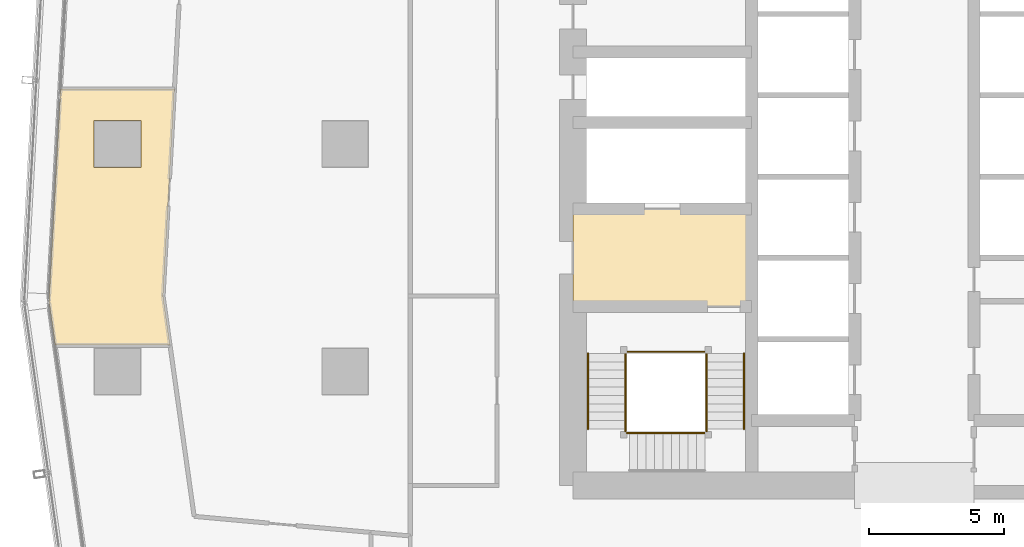
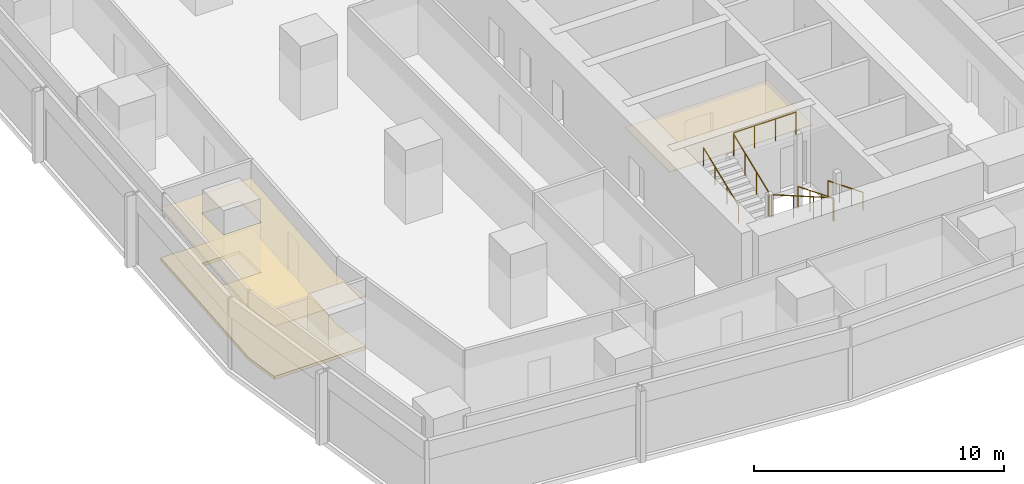
# One storey, part 34 of 40: 9 railings, 3 coverings.
"""IFC4 building model written with IfcOpenShell, lengths in metres."""

from ifc_helpers import new_model, si_unit, direction, frame, origin, origin_2d, place, context, subcontext, project, spatial, polyline, circle, outline, extrude, material, layer, layer_set, type_object, element, save


model = new_model("IFC4")

# Units and contexts
model_context = context("Model", 3, precision=1e-05, world=origin(), true_north=direction((0.0, 1.0)))
body_context = subcontext(model_context, "Body", "Model", "MODEL_VIEW")
ifc_project = project(units=[si_unit("LENGTHUNIT", "METRE"), si_unit("AREAUNIT", "SQUARE_METRE"), si_unit("VOLUMEUNIT", "CUBIC_METRE"), si_unit("PLANEANGLEUNIT", "RADIAN"), si_unit("MASSUNIT", "GRAM", prefix="KILO")], contexts=[model_context])

# Site, building, storey
site_placement = place(None, origin())
site = spatial("IfcSite", under=ifc_project, at=site_placement, CompositionType="ELEMENT")
building_placement = place(site_placement, origin())
building = spatial("IfcBuilding", under=site, at=building_placement, Name="Rekha Terrace Tower", CompositionType="ELEMENT")
storey_placement = place(building_placement, frame((0.0, 0.0, 121.550048828125)))
storey = spatial("IfcBuildingStorey", under=building, at=storey_placement, Name="L30", CompositionType="ELEMENT", Elevation=121.550048828125)

# Coverings
ifc_material_1 = material(Name="Mineral fibre tile in exposed grid", Category="finish")
ifc_layer_1 = layer(ifc_material_1, 0.02001953125)
ifc_layer_set_1 = layer_set([ifc_layer_1], Name="Mineral fibre tile in exposed grid")
covering_type_1 = type_object("IfcCoveringType", Name="CL1 600x1200 office grid ceiling", PredefinedType="CEILING", material=ifc_layer_set_1)
covering_1_placement = place(storey_placement, frame((0.0, 0.0, 2.579833984375)))
element("IfcCovering", 1, at=covering_1_placement, inside=storey, type_object=covering_type_1, Name="Ceiling L30-20", PredefinedType="CEILING", context=body_context, shape_type="SweptSolid", body=[
    extrude(outline(polyline([(10.080078125, 27.992919921875), (10.4990234375, 35.634033203125), (6.29296875, 35.634033203125), (5.864013671875, 27.81298828125), (6.094970703125, 26.177001953125), (10.3359375, 26.177001953125), (10.080078125, 27.992919921875)]), holes=[polyline([(9.264892578125, 32.735107421875), (7.534912109375, 32.735107421875), (7.534912109375, 34.465087890625), (9.264892578125, 34.465087890625), (9.264892578125, 32.735107421875)])]), origin(), (0.0, 0.0, 1.0), 0.02001953125),
])
ifc_material_2 = material(Name="Powder-coated aluminium pan", Category="aluminium")
ifc_layer_2 = layer(ifc_material_2, 0.030029296875)
ifc_layer_set_2 = layer_set([ifc_layer_2], Name="Powder-coated aluminium pan")
covering_type_2 = type_object("IfcCoveringType", Name="CL3 300x1200 metal pan ceiling", PredefinedType="CEILING", material=ifc_layer_set_2)
covering_2_placement = place(storey_placement, frame((0.0, 0.0, 2.570068359375)))
element("IfcCovering", 2, at=covering_2_placement, inside=storey, type_object=covering_type_2, Name="Ceiling L30-FLB1", PredefinedType="CEILING", context=body_context, shape_type="SweptSolid", body=[
    extrude(outline(polyline([(31.800048828125, 31.199951171875), (25.199951171875, 31.199951171875), (25.199951171875, 27.60009765625), (31.800048828125, 27.60009765625), (31.800048828125, 31.199951171875)])), origin(), (0.0, 0.0, 1.0), 0.02978515625),
])

# Railings
ifc_material_3 = material(Name="Stainless steel balustrade", Category="steel")
railing_type_1 = type_object("IfcRailingType", Name="GR1 1100 stair guard", PredefinedType="GUARDRAIL", material=ifc_material_3)
railing_1_placement = place(storey_placement, frame((30.135009765625, 25.875, 0.125)))
element("IfcRailing", 3, at=railing_1_placement, inside=storey, type_object=railing_type_1, Name="Guard ST1 L30 flight 1", PredefinedType="GUARDRAIL", context=body_context, shape_type="SweptSolid", body=[
    extrude(circle(Radius=0.02392578125, at=origin_2d()), frame((0.0, 0.0, 1.076171875), z_axis=(0.0, -0.927443287984, 0.373963831907), x_axis=(1.0, 0.0, 0.0)), (0.0, 0.0, 1.0), 3.00830078125),
    extrude(circle(Radius=0.02099609375, at=origin_2d()), origin(), (0.0, 0.0, 1.0), 1.052001953125),
    extrude(circle(Radius=0.02099609375, at=origin_2d()), frame((0.0, -0.929931640625, 0.375)), (0.0, 0.0, 1.0), 1.052001953125),
    extrude(circle(Radius=0.02099609375, at=origin_2d()), frame((0.0, -1.860107421875, 0.75)), (0.0, 0.0, 1.0), 1.052001953125),
    extrude(circle(Radius=0.02099609375, at=origin_2d()), frame((0.0, -2.7900390625, 1.125)), (0.0, 0.0, 1.0), 1.052001953125),
])
railing_2_placement = place(storey_placement, frame((30.074951171875, 22.93994140625, 1.375)))
element("IfcRailing", 4, at=railing_2_placement, inside=storey, type_object=railing_type_1, Name="Guard ST1 L30 flight 2", PredefinedType="GUARDRAIL", context=body_context, shape_type="SweptSolid", body=[
    extrude(circle(Radius=0.02392578125, at=origin_2d()), frame((0.0, 0.0, 1.076171875), z_axis=(-0.927443287984, 0.0, 0.373963831907), x_axis=(0.0, -1.0, 0.0)), (0.0, 0.0, 1.0), 3.00830078125),
    extrude(circle(Radius=0.02099609375, at=origin_2d()), origin(), (0.0, 0.0, 1.0), 1.052001953125),
    extrude(circle(Radius=0.02099609375, at=origin_2d()), frame((-0.929931640625, 0.0, 0.375)), (0.0, 0.0, 1.0), 1.052001953125),
    extrude(circle(Radius=0.02099609375, at=origin_2d()), frame((-1.860107421875, 0.0, 0.75)), (0.0, 0.0, 1.0), 1.052001953125),
    extrude(circle(Radius=0.02099609375, at=origin_2d()), frame((-2.7900390625, 0.0, 1.125)), (0.0, 0.0, 1.0), 1.052001953125),
])
railing_3_placement = place(storey_placement, frame((27.139892578125, 23.0849609375, 2.625)))
element("IfcRailing", 5, at=railing_3_placement, inside=storey, type_object=railing_type_1, Name="Guard ST1 L30 flight 3", PredefinedType="GUARDRAIL", context=body_context, shape_type="SweptSolid", body=[
    extrude(circle(Radius=0.02392578125, at=origin_2d()), frame((0.0, 0.0, 1.076171875), z_axis=(0.0, 0.927443287984, 0.373963831907), x_axis=(-1.0, 0.0, 0.0)), (0.0, 0.0, 1.0), 3.00830078125),
    extrude(circle(Radius=0.02099609375, at=origin_2d()), origin(), (0.0, 0.0, 1.0), 1.052001953125),
    extrude(circle(Radius=0.02099609375, at=origin_2d()), frame((0.0, 0.929931640625, 0.375)), (0.0, 0.0, 1.0), 1.052001953125),
    extrude(circle(Radius=0.02099609375, at=origin_2d()), frame((0.0, 1.860107421875, 0.75)), (0.0, 0.0, 1.0), 1.052001953125),
    extrude(circle(Radius=0.02099609375, at=origin_2d()), frame((0.0, 2.7900390625, 1.125)), (0.0, 0.0, 1.0), 1.052001953125),
])
railing_4_placement = place(storey_placement, frame((30.135009765625, 23.0849609375, 1.25)))
element("IfcRailing", 6, at=railing_4_placement, inside=storey, type_object=railing_type_1, Name="Guard ST1 L30 landing 1", PredefinedType="GUARDRAIL", context=body_context, shape_type="SweptSolid", body=[
    extrude(circle(Radius=0.02392578125, at=origin_2d()), frame((0.0, 0.0, 1.076171875), z_axis=(0.0, -1.0, 0.0), x_axis=(1.0, 0.0, 0.0)), (0.0, 0.0, 1.0), 0.0849609375),
    extrude(circle(Radius=0.02099609375, at=origin_2d()), origin(), (0.0, 0.0, 1.0), 1.052001953125),
    extrude(circle(Radius=0.02099609375, at=origin_2d()), frame((0.0, -0.0849609375, 0.0)), (0.0, 0.0, 1.0), 1.052001953125),
])
railing_5_placement = place(storey_placement, frame((27.284912109375, 22.93994140625, 2.5)))
element("IfcRailing", 7, at=railing_5_placement, inside=storey, type_object=railing_type_1, Name="Guard ST1 L30 landing 2", PredefinedType="GUARDRAIL", context=body_context, shape_type="SweptSolid", body=[
    extrude(circle(Radius=0.02392578125, at=origin_2d()), frame((0.0, 0.0, 1.076171875), z_axis=(-1.0, 0.0, 0.0), x_axis=(0.0, -1.0, 0.0)), (0.0, 0.0, 1.0), 0.0849609375),
    extrude(circle(Radius=0.02099609375, at=origin_2d()), origin(), (0.0, 0.0, 1.0), 1.052001953125),
    extrude(circle(Radius=0.02099609375, at=origin_2d()), frame((-0.0849609375, 0.0, 0.0)), (0.0, 0.0, 1.0), 1.052001953125),
])
railing_6_placement = place(storey_placement, frame((27.139892578125, 23.0849609375, 2.5)))
element("IfcRailing", 8, at=railing_6_placement, inside=storey, type_object=railing_type_1, Name="Guard ST1 L30 landing 3", PredefinedType="GUARDRAIL", context=body_context, shape_type="SweptSolid", body=[
    extrude(circle(Radius=0.02392578125, at=origin_2d()), frame((0.0, 0.0, 1.076171875), z_axis=(0.0, -1.0, 0.0), x_axis=(1.0, 0.0, 0.0)), (0.0, 0.0, 1.0), 0.0849609375),
    extrude(circle(Radius=0.02099609375, at=origin_2d()), origin(), (0.0, 0.0, 1.0), 1.052001953125),
    extrude(circle(Radius=0.02099609375, at=origin_2d()), frame((0.0, -0.0849609375, 0.0)), (0.0, 0.0, 1.0), 1.052001953125),
])
railing_7_placement = place(storey_placement, frame((30.074951171875, 25.93505859375, 3.75)))
element("IfcRailing", 9, at=railing_7_placement, inside=storey, type_object=railing_type_1, Name="Guard ST1 L30 landing 4", PredefinedType="GUARDRAIL", context=body_context, shape_type="SweptSolid", body=[
    extrude(circle(Radius=0.02392578125, at=origin_2d()), frame((0.0, 0.0, 1.076171875), z_axis=(-1.0, 0.0, 0.0), x_axis=(0.0, -1.0, 0.0)), (0.0, 0.0, 1.0), 2.875),
    extrude(circle(Radius=0.02099609375, at=origin_2d()), origin(), (0.0, 0.0, 1.0), 1.052001953125),
    extrude(circle(Radius=0.02099609375, at=origin_2d()), frame((-0.958251953125, 0.0, 0.0)), (0.0, 0.0, 1.0), 1.052001953125),
    extrude(circle(Radius=0.02099609375, at=origin_2d()), frame((-1.916748046875, 0.0, 0.0)), (0.0, 0.0, 1.0), 1.052001953125),
    extrude(circle(Radius=0.02099609375, at=origin_2d()), frame((-2.875, 0.0, 0.0)), (0.0, 0.0, 1.0), 1.052001953125),
])
ifc_material_4 = material(Name="Stainless steel tube", Category="steel")
railing_type_2 = type_object("IfcRailingType", Name="HR1 900 stair handrail", PredefinedType="HANDRAIL", material=ifc_material_4)
railing_8_placement = place(storey_placement, frame((31.514892578125, 25.875, 0.125)))
element("IfcRailing", 10, at=railing_8_placement, inside=storey, type_object=railing_type_2, Name="Handrail ST1 L30 flight 1", PredefinedType="HANDRAIL", context=body_context, shape_type="SweptSolid", body=[
    extrude(circle(Radius=0.02392578125, at=origin_2d()), frame((0.0, 0.0, 0.8759765625), z_axis=(0.0, -0.927443287984, 0.373963831907), x_axis=(1.0, 0.0, 0.0)), (0.0, 0.0, 1.0), 3.00830078125),
    extrude(circle(Radius=0.02099609375, at=origin_2d()), origin(), (0.0, 0.0, 1.0), 0.851806640625),
    extrude(circle(Radius=0.02099609375, at=origin_2d()), frame((0.0, -0.929931640625, 0.375)), (0.0, 0.0, 1.0), 0.851806640625),
    extrude(circle(Radius=0.02099609375, at=origin_2d()), frame((0.0, -1.860107421875, 0.75)), (0.0, 0.0, 1.0), 0.851806640625),
    extrude(circle(Radius=0.02099609375, at=origin_2d()), frame((0.0, -2.7900390625, 1.125)), (0.0, 0.0, 1.0), 0.851806640625),
])
railing_9_placement = place(storey_placement, frame((25.760009765625, 23.0849609375, 2.625)))
element("IfcRailing", 11, at=railing_9_placement, inside=storey, type_object=railing_type_2, Name="Handrail ST1 L30 flight 3", PredefinedType="HANDRAIL", context=body_context, shape_type="SweptSolid", body=[
    extrude(circle(Radius=0.02392578125, at=origin_2d()), frame((0.0, 0.0, 0.8759765625), z_axis=(0.0, 0.927443287984, 0.373963831907), x_axis=(-1.0, 0.0, 0.0)), (0.0, 0.0, 1.0), 3.00830078125),
    extrude(circle(Radius=0.02099609375, at=origin_2d()), origin(), (0.0, 0.0, 1.0), 0.851806640625),
    extrude(circle(Radius=0.02099609375, at=origin_2d()), frame((0.0, 0.929931640625, 0.375)), (0.0, 0.0, 1.0), 0.851806640625),
    extrude(circle(Radius=0.02099609375, at=origin_2d()), frame((0.0, 1.860107421875, 0.75)), (0.0, 0.0, 1.0), 0.851806640625),
    extrude(circle(Radius=0.02099609375, at=origin_2d()), frame((0.0, 2.7900390625, 1.125)), (0.0, 0.0, 1.0), 0.851806640625),
])

# Covering
ifc_material_5 = material(Name="Calcium sulphate panels on steel pedestals", Category="steel")
ifc_layer_3 = layer(ifc_material_5, 0.14990234375)
ifc_layer_set_3 = layer_set([ifc_layer_3], Name="Calcium sulphate panels on steel pedestals")
covering_type_3 = type_object("IfcCoveringType", Name="RF1 150 raised access floor", PredefinedType="FLOORING", material=ifc_layer_set_3)
covering_3_placement = place(storey_placement, origin())
element("IfcCovering", 12, at=covering_3_placement, inside=storey, type_object=covering_type_3, Name="Raised floor L30-20", PredefinedType="FLOORING", context=body_context, shape_type="SweptSolid", body=[
    extrude(outline(polyline([(10.080078125, 27.992919921875), (10.4990234375, 35.634033203125), (6.29296875, 35.634033203125), (5.864013671875, 27.81298828125), (6.094970703125, 26.177001953125), (10.3359375, 26.177001953125), (10.080078125, 27.992919921875)]), holes=[polyline([(9.264892578125, 32.735107421875), (7.534912109375, 32.735107421875), (7.534912109375, 34.465087890625), (9.264892578125, 34.465087890625), (9.264892578125, 32.735107421875)])]), origin(), (0.0, 0.0, 1.0), 0.14990234375),
])

save(model, "model.ifc")
